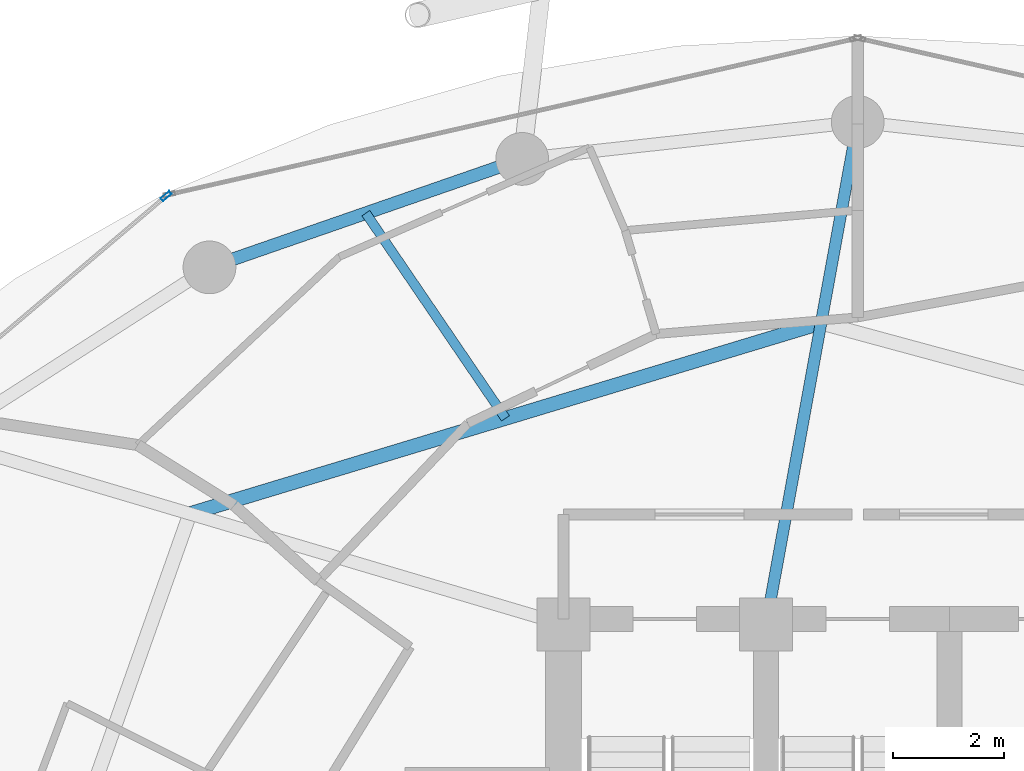
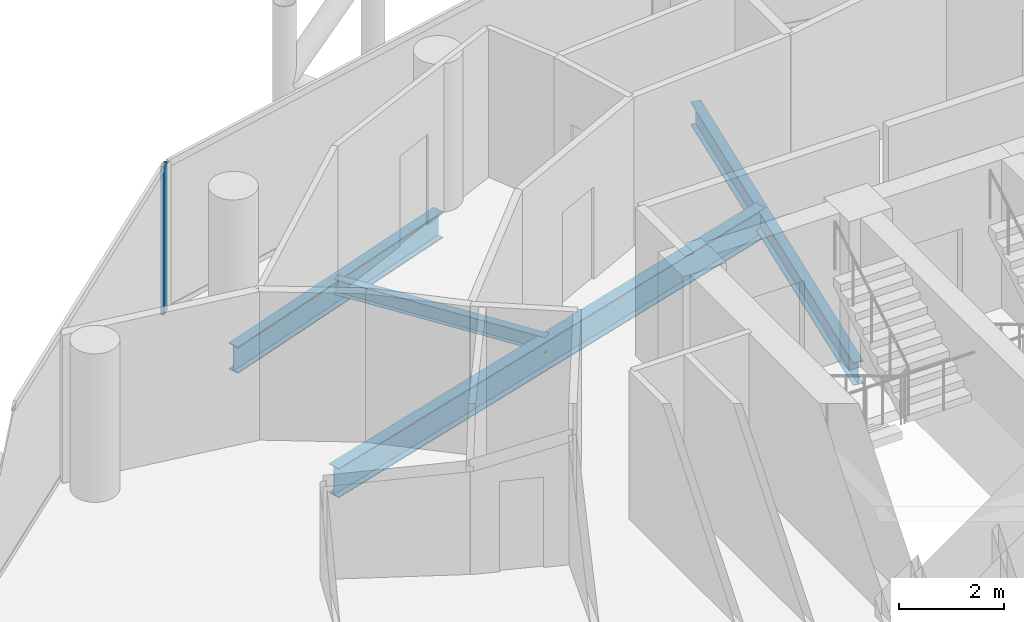
# One storey, part 15 of 26: 4 beams, 1 member, 1 element without a shape of its own.
"""IFC4 building model written with IfcOpenShell, lengths in metres."""

from ifc_helpers import new_model, si_unit, direction, frame, origin, origin_2d, place, context, subcontext, project, spatial, hollow_rectangle, i_section, extrude, material, layer, layer_set, material_profile, profile_set, type_object, element, aggregate, save


model = new_model("IFC4")

# Units and contexts
model_context = context("Model", 3, precision=1e-05, world=origin(), true_north=direction((0.0, 1.0)))
body_context = subcontext(model_context, "Body", "Model", "MODEL_VIEW")
ifc_project = project(units=[si_unit("LENGTHUNIT", "METRE"), si_unit("AREAUNIT", "SQUARE_METRE"), si_unit("VOLUMEUNIT", "CUBIC_METRE"), si_unit("PLANEANGLEUNIT", "RADIAN"), si_unit("MASSUNIT", "GRAM", prefix="KILO")], contexts=[model_context])

# Site, building, storey
site_placement = place(None, origin())
site = spatial("IfcSite", under=ifc_project, at=site_placement, CompositionType="ELEMENT")
building_placement = place(site_placement, origin())
building = spatial("IfcBuilding", under=site, at=building_placement, Name="Nuhasar Tower", CompositionType="ELEMENT")
storey_placement = place(building_placement, frame((0.0, 0.0, 147.85009765625)))
storey = spatial("IfcBuildingStorey", under=building, at=storey_placement, Name="L35", CompositionType="ELEMENT", Elevation=147.85009765625)

# Beams
ifc_material_1 = material(Name="Steel S355", Category="steel")
ifc_material_profile_1 = material_profile(ifc_material_1, i_section(OverallWidth=0.25390625, OverallDepth=0.68408203125, WebThickness=0.012451171875, FlangeThickness=0.018798828125, at=origin_2d()), Name="W27X94")
ifc_profile_set_1 = profile_set([ifc_material_profile_1], Name="Steel S355")
beam_type_1 = type_object("IfcBeamType", Name="BM-INRING-W27X94", PredefinedType="BEAM", material=ifc_profile_set_1)
beam_1_placement = place(storey_placement, frame((38.340087890625, 42.72998046875, -0.592041015625), z_axis=(-0.95722440557, -0.289346569673, 0.0), x_axis=(0.289346569673, -0.95722440557, 0.0)))
element("IfcBeam", 1, at=beam_1_placement, inside=storey, type_object=beam_type_1, Name="L35 Inner Header Beam 06", PredefinedType="BEAM", context=body_context, shape_type="SweptSolid", body=[
    extrude(i_section(OverallWidth=0.25390625, OverallDepth=0.68408203125, WebThickness=0.012451171875, FlangeThickness=0.018798828125, at=origin_2d()), origin(), (0.0, 0.0, 1.0), 11.875244140625),
])
ifc_material_profile_2 = material_profile(ifc_material_1, i_section(OverallWidth=0.1708984375, OverallDepth=0.35205078125, WebThickness=0.0068359375, FlangeThickness=0.009765625, at=origin_2d()), Name="W14X30")
ifc_profile_set_2 = profile_set([ifc_material_profile_2], Name="Steel S355")
beam_type_2 = type_object("IfcBeamType", Name="BM-JST-W14X30", PredefinedType="JOIST", material=ifc_profile_set_2)
beam_2_placement = place(storey_placement, frame((32.656982421875, 41.011962890625, -0.426025390625), z_axis=(-0.562802886474, 0.826591138941, 0.0), x_axis=(-0.826591138941, -0.562802886474, 0.0)))
element("IfcBeam", 2, at=beam_2_placement, inside=storey, type_object=beam_type_2, Name="L35 Secondary Floor Joist 06", PredefinedType="JOIST", context=body_context, shape_type="SweptSolid", body=[
    extrude(i_section(OverallWidth=0.1708984375, OverallDepth=0.35205078125, WebThickness=0.0068359375, FlangeThickness=0.009765625, at=origin_2d()), origin(), (0.0, 0.0, 1.0), 4.47021484375),
])
ifc_material_profile_3 = material_profile(ifc_material_1, i_section(OverallWidth=0.208984375, OverallDepth=0.532958984375, WebThickness=0.01025390625, FlangeThickness=0.015625, at=origin_2d()), Name="W21X62")
ifc_profile_set_3 = profile_set([ifc_material_profile_3], Name="Steel S355")
beam_type_3 = type_object("IfcBeamType", Name="BM-RAD-W21X62", PredefinedType="BEAM", material=ifc_profile_set_3)
beam_3_placement = place(storey_placement, frame((37.35009765625, 37.300048828125, -0.51708984375), z_axis=(0.179352509513, 0.983784873502, 0.0), x_axis=(-0.983784873502, 0.179352509513, 0.0)))
element("IfcBeam", 3, at=beam_3_placement, inside=storey, type_object=beam_type_3, Name="L35 Radial Floor Girder 06", PredefinedType="BEAM", context=body_context, shape_type="SweptSolid", body=[
    extrude(i_section(OverallWidth=0.208984375, OverallDepth=0.532958984375, WebThickness=0.01025390625, FlangeThickness=0.015625, at=origin_2d()), origin(), (0.0, 0.0, 1.0), 9.19921875),
])
ifc_material_profile_4 = material_profile(ifc_material_1, i_section(OverallWidth=0.22998046875, OverallDepth=0.616943359375, WebThickness=0.01318359375, FlangeThickness=0.022216796875, at=origin_2d()), Name="W24X94")
ifc_profile_set_4 = profile_set([ifc_material_profile_4], Name="Steel S355")
beam_type_4 = type_object("IfcBeamType", Name="BM-RING-W24X94", PredefinedType="SPANDREL", material=ifc_profile_set_4)
beam_4_placement = place(storey_placement, frame((32.95703125, 45.68408203125, -0.55908203125), z_axis=(-0.944801380051, -0.327643636066, 0.0), x_axis=(0.327643636066, -0.944801380051, 0.0)))
element("IfcBeam", 4, at=beam_4_placement, inside=storey, type_object=beam_type_4, Name="L35 Perimeter Ring Spandrel 08", PredefinedType="SPANDREL", context=body_context, shape_type="SweptSolid", body=[
    extrude(i_section(OverallWidth=0.22998046875, OverallDepth=0.616943359375, WebThickness=0.01318359375, FlangeThickness=0.022216796875, at=origin_2d()), origin(), (0.0, 0.0, 1.0), 5.961181640625),
])

# Curtain wall, member
ifc_material_2 = material(Name="Aluminium 6063-T6", Category="aluminium")
ifc_layer = layer(ifc_material_2, 0.199951171875)
ifc_layer_set = layer_set([ifc_layer], Name="Aluminium 6063-T6")
curtain_wall_type = type_object("IfcCurtainWallType", Name="CW-Z2-HTL", PredefinedType="NOTDEFINED", material=ifc_layer_set)
curtain_wall_placement = place(storey_placement, origin())
curtain_wall = element("IfcCurtainWall", 5, at=curtain_wall_placement, inside=storey, type_object=curtain_wall_type, Name="L35 Unitised Curtain Wall 05", PredefinedType="NOTDEFINED")
ifc_material_profile_5 = material_profile(ifc_material_2, hollow_rectangle(XDim=0.070068359375, YDim=0.199951171875, WallThickness=0.0048828125, at=origin_2d()), Name="CWM-3")
ifc_profile_set_5 = profile_set([ifc_material_profile_5], Name="Aluminium 6063-T6")
member_type = type_object("IfcMemberType", Name="CW-MUL-S3", PredefinedType="MULLION", material=ifc_profile_set_5)
member_placement = place(storey_placement, frame((26.543212890625, 45.015380859375, 0.0), z_axis=(0.0, 0.0, 1.0), x_axis=(0.646374438324, -0.763020370292, 0.0)))
member = element("IfcMember", 6, at=member_placement, type_object=member_type, Name="CW-Z2 mullion 1", PredefinedType="MULLION", context=body_context, shape_type="SweptSolid", body=[
    extrude(hollow_rectangle(XDim=0.070068359375, YDim=0.199951171875, WallThickness=0.0048828125, at=origin_2d()), origin(), (0.0, 0.0, 1.0), 3.449951171875),
])
aggregate(curtain_wall, [member])

save(model, "model.ifc")
